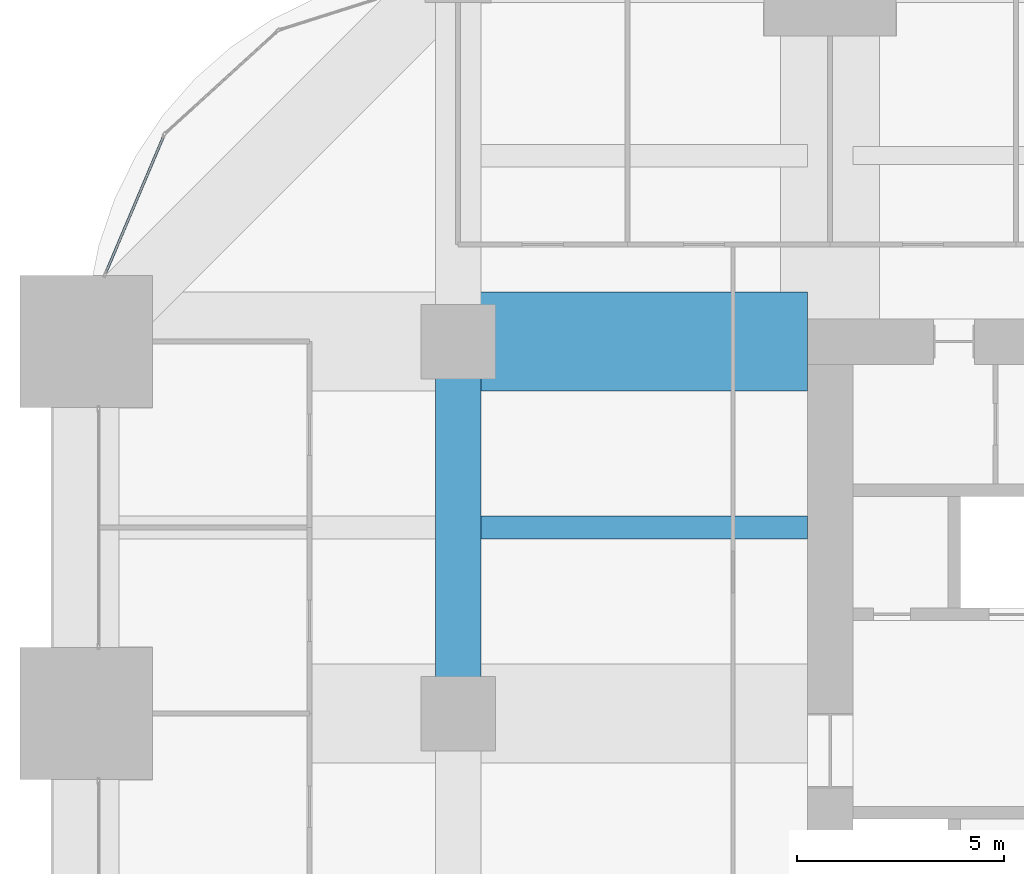
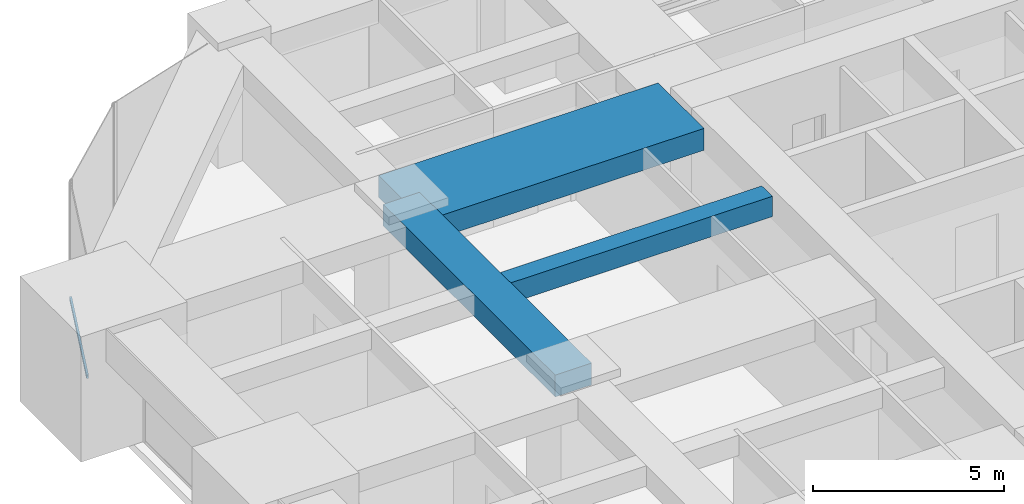
# One storey, part 21 of 36: 3 beams, 1 member, 1 element without a shape of its own.
"""IFC4 building model written with IfcOpenShell, lengths in metres."""

import ifcopenshell
import ifcopenshell.guid

model = None  # the IFC model being written
_history = None  # IfcOwnerHistory: only IFC2X3 demands one
_inside = {}  # id of a spatial element -> (the spatial element, [elements in it])
_under = {}  # id of a project, library or spatial element -> (it, [spatial elements below it])
_declared = {}  # id of a project -> (the project, [libraries it declares])
_typed = {}  # id of a type object -> (the type object, [elements of that type])
_made_of = {}  # id of a material, layer set ... -> (it, [elements and type objects made of it])


def new_model(schema):
    """Start an empty IFC model of exactly this schema.

    Asked for "IFC4X3", IfcOpenShell would pick the latest addendum, in which some entities
    have other attributes; the version numbers below select the first issue.
    IFC2X3 requires an IfcOwnerHistory on every rooted entity: one is made here for all.
    """
    global model, _history
    if schema == "IFC4X3":
        model = ifcopenshell.file(schema_version=(4, 3, 0, 0))
    else:
        model = ifcopenshell.file(schema=schema)
    _inside.clear()
    _under.clear()
    _declared.clear()
    _typed.clear()
    _made_of.clear()
    _history = None
    if model.schema == "IFC2X3":
        org = make("IfcOrganization", Name="unknown")
        user = make(
            "IfcPersonAndOrganization",
            ThePerson=make("IfcPerson", FamilyName="unknown"),
            TheOrganization=org,
        )
        app = make(
            "IfcApplication",
            ApplicationDeveloper=org,
            Version="unknown",
            ApplicationFullName="unknown",
            ApplicationIdentifier="unknown",
        )
        _history = make(
            "IfcOwnerHistory",
            OwningUser=user,
            OwningApplication=app,
            ChangeAction="ADDED",
            CreationDate=0,
        )
    return model


def make(cls, **values):
    """One entity of the class cls with the attributes given. An attribute that is None is left unset."""
    return model.create_entity(
        cls, **{name: value for name, value in values.items() if value is not None}
    )


def rooted(cls, **values):
    """An entity with a GlobalId (a new one), such as an element, a storey or a relation."""
    return make(cls, GlobalId=ifcopenshell.guid.new(), OwnerHistory=_history, **values)


def si_unit(unit_type, name, prefix=None):
    """IfcSIUnit, for example si_unit("LENGTHUNIT", "METRE", prefix="MILLI")."""
    return make("IfcSIUnit", UnitType=unit_type, Prefix=prefix, Name=name)


def assignment(units):
    """IfcUnitAssignment: the units of a project."""
    return None if units is None else make("IfcUnitAssignment", Units=units)


def point(xyz):
    """IfcCartesianPoint."""
    return None if xyz is None else make("IfcCartesianPoint", Coordinates=xyz)


def direction(xyz):
    """IfcDirection."""
    return None if xyz is None else make("IfcDirection", DirectionRatios=xyz)


def frame(location, z_axis=None, x_axis=None):
    """IfcAxis2Placement3D, a coordinate frame: its origin and axes. An axis left out is left unset."""
    return make(
        "IfcAxis2Placement3D",
        Location=point(location),
        Axis=direction(z_axis),
        RefDirection=direction(x_axis),
    )


def frame_2d(location, x_axis=None):
    """IfcAxis2Placement2D, a coordinate frame in the plane: its origin and x axis."""
    return make(
        "IfcAxis2Placement2D", Location=point(location), RefDirection=direction(x_axis)
    )


def origin():
    """The frame at (0, 0, 0) with its axes left unset."""
    return frame((0.0, 0.0, 0.0))


def origin_2d():
    """The frame at (0, 0) in the plane with its x axis left unset."""
    return frame_2d((0.0, 0.0))


def place(relative_to, where):
    """IfcLocalPlacement: puts the frame where relative to a parent placement (None: the world)."""
    return make(
        "IfcLocalPlacement", PlacementRelTo=relative_to, RelativePlacement=where
    )


def context(
    kind, dimensions, precision=None, world=None, true_north=None, identifier=None
):
    """IfcGeometricRepresentationContext, for example the 3D "Model" context."""
    return make(
        "IfcGeometricRepresentationContext",
        ContextIdentifier=identifier,
        ContextType=kind,
        CoordinateSpaceDimension=dimensions,
        Precision=precision,
        WorldCoordinateSystem=world,
        TrueNorth=true_north,
    )


def subcontext(parent, identifier, kind, view, scale=None):
    """IfcGeometricRepresentationSubContext, for example "Body" below "Model"."""
    return make(
        "IfcGeometricRepresentationSubContext",
        ContextIdentifier=identifier,
        ContextType=kind,
        ParentContext=parent,
        TargetScale=scale,
        TargetView=view,
    )


def project(units=None, contexts=None):
    """IfcProject with its units and contexts."""
    return rooted(
        "IfcProject",
        Name="project",
        RepresentationContexts=contexts,
        UnitsInContext=assignment(units),
    )


def spatial(cls, under=None, at=None, **own):
    """A site, building, storey or space (cls), placed at a placement, below another one or the project."""
    s = rooted(cls, ObjectPlacement=at, **own)
    if under is not None:
        _under.setdefault(under.id(), (under, []))[1].append(s)
    return s


def profile(cls, at=None, kind="AREA", **sizes):
    """A parametric profile (cls). Its sizes go by their IFC names, for example OverallWidth=200.0."""
    return make(cls, ProfileType=kind, Position=at, **sizes)


def rectangle(**sizes):
    """IfcRectangleProfileDef."""
    return profile("IfcRectangleProfileDef", **sizes)


def hollow_rectangle(**sizes):
    """IfcRectangleHollowProfileDef."""
    return profile("IfcRectangleHollowProfileDef", **sizes)


def extrude(swept, where, along, depth):
    """IfcExtrudedAreaSolid: the profile swept, set in the frame where, extruded along a direction by depth."""
    return make(
        "IfcExtrudedAreaSolid",
        SweptArea=swept,
        Position=where,
        ExtrudedDirection=direction(along),
        Depth=depth,
    )


def shape(context_of_items, identifier, shape_type, items):
    """IfcShapeRepresentation: the items that make up one representation, for example the "Body"."""
    return make(
        "IfcShapeRepresentation",
        ContextOfItems=context_of_items,
        RepresentationIdentifier=identifier,
        RepresentationType=shape_type,
        Items=items,
    )


def material(Name=None, Category=None):
    """IfcMaterial."""
    return make("IfcMaterial", Name=Name, Category=Category)


def material_profile(
    of_material, cross_section, Name=None, Category=None, Priority=None
):
    """IfcMaterialProfile: a cross section and its material."""
    return make(
        "IfcMaterialProfile",
        Name=Name,
        Material=of_material,
        Profile=cross_section,
        Priority=Priority,
        Category=Category,
    )


def profile_set(profiles, Name=None, composite=None):
    """IfcMaterialProfileSet."""
    return make(
        "IfcMaterialProfileSet",
        Name=Name,
        MaterialProfiles=profiles,
        CompositeProfile=composite,
    )


def made_of(thing, what):
    """Note that an element or type object is made of a material, layer set ...; save() writes the relation."""
    if what is not None:
        _made_of.setdefault(what.id(), (what, []))[1].append(thing)
    return thing


def type_object(cls, material=None, **own):
    """A type object (cls), such as IfcWallType, which elements share."""
    return made_of(rooted(cls, **own), material)


def element(
    cls,
    number,
    at=None,
    inside=None,
    cuts=None,
    type_object=None,
    material=None,
    context=None,
    identifier="Body",
    shape_type=None,
    held_by="IfcProductDefinitionShape",
    body=None,
    shapes=None,
    **own,
):
    """One element of the class cls, such as IfcWall. Its Tag is "e" and its number.

    at: its placement. inside: the storey or other place that contains it. cuts: it is an
    opening in that element (IfcRelVoidsElement). A single representation is given by context,
    identifier, shape_type and body (its items); several are given by shapes. held_by: the class
    of the entity that holds the representations. save() writes the other relations.
    """
    e = rooted(cls, Tag="e%d" % number, ObjectPlacement=at, **own)
    if body is not None:
        shapes = [shape(context, identifier, shape_type, body)]
    if shapes is not None:
        e.Representation = make(held_by, Representations=shapes)
    if inside is not None:
        _inside.setdefault(inside.id(), (inside, []))[1].append(e)
    if cuts is not None:
        rooted(
            "IfcRelVoidsElement", RelatingBuildingElement=cuts, RelatedOpeningElement=e
        )
    if type_object is not None:
        _typed.setdefault(type_object.id(), (type_object, []))[1].append(e)
    return made_of(e, material)


def aggregate(whole, parts):
    """IfcRelAggregates: a whole, such as a stair, and the parts it consists of."""
    return rooted("IfcRelAggregates", RelatingObject=whole, RelatedObjects=parts)


def save(model, path):
    """Write the relations noted so far, then the file.

    IfcRelAggregates (storeys below a building ...), IfcRelContainedInSpatialStructure (elements
    in a storey), IfcRelDefinesByType, IfcRelAssociatesMaterial and IfcRelDeclares: one each for
    every whole, place, type object, material and project.
    """
    for whole, parts in _under.values():
        aggregate(whole, parts)
    for where, things in _inside.values():
        rooted(
            "IfcRelContainedInSpatialStructure",
            RelatedElements=things,
            RelatingStructure=where,
        )
    for kind, things in _typed.values():
        rooted("IfcRelDefinesByType", RelatedObjects=things, RelatingType=kind)
    for what, things in _made_of.values():
        rooted("IfcRelAssociatesMaterial", RelatedObjects=things, RelatingMaterial=what)
    for by, libraries in _declared.values():
        rooted("IfcRelDeclares", RelatingContext=by, RelatedDefinitions=libraries)
    model.write(path)


model = new_model("IFC4")

# Units and contexts
model_context = context("Model", 3, precision=1e-05, world=origin(), true_north=direction((0.0, 1.0)))
body_context = subcontext(model_context, "Body", "Model", "MODEL_VIEW")
ifc_project = project(units=[si_unit("LENGTHUNIT", "METRE"), si_unit("AREAUNIT", "SQUARE_METRE"), si_unit("VOLUMEUNIT", "CUBIC_METRE"), si_unit("PLANEANGLEUNIT", "RADIAN"), si_unit("MASSUNIT", "GRAM", prefix="KILO")], contexts=[model_context])

# Site, building, storey
site_placement = place(None, origin())
site = spatial("IfcSite", under=ifc_project, at=site_placement, CompositionType="ELEMENT")
building_placement = place(site_placement, origin())
building = spatial("IfcBuilding", under=site, at=building_placement, Name="Zorevar Civic Tower", CompositionType="ELEMENT")
storey_placement = place(building_placement, frame((0.0, 0.0, 166.199951171875)))
storey = spatial("IfcBuildingStorey", under=building, at=storey_placement, Name="L40", CompositionType="ELEMENT", Elevation=166.199951171875)

# Beams
ifc_material_1 = material(Name="Concrete C50/60", Category="concrete")
ifc_material_profile_1 = material_profile(ifc_material_1, rectangle(XDim=1.10009765625, YDim=0.699951171875, at=origin_2d()), Name="RC 1100x700")
ifc_profile_set_1 = profile_set([ifc_material_profile_1], Name="Concrete C50/60")
beam_type_1 = type_object("IfcBeamType", Name="Beam RC 1100x700", PredefinedType="BEAM", material=ifc_profile_set_1)
beam_1_placement = place(storey_placement, frame((9.0, 27.0, 3.400146484375), z_axis=(0.0, 1.0, 0.0), x_axis=(-1.0, 0.0, 0.0)))
element("IfcBeam", 1, at=beam_1_placement, inside=storey, type_object=beam_type_1, Name="Girder L41", PredefinedType="BEAM", context=body_context, shape_type="SweptSolid", body=[
    extrude(rectangle(XDim=1.10009765625, YDim=0.699951171875, at=origin_2d()), origin(), (0.0, 0.0, 1.0), 9.0),
])
ifc_material_2 = material(Name="Concrete C50/60", Category="concrete")
ifc_material_profile_2 = material_profile(ifc_material_2, rectangle(XDim=2.39990234375, YDim=0.699951171875, at=origin_2d()), Name="RC 2400x700")
ifc_profile_set_2 = profile_set([ifc_material_profile_2], Name="Concrete C50/60")
beam_type_2 = type_object("IfcBeamType", Name="Beam RC 2400x700", PredefinedType="BEAM", material=ifc_profile_set_2)
beam_2_placement = place(storey_placement, frame((9.0, 36.0, 3.400146484375), z_axis=(1.0, 0.0, 0.0), x_axis=(0.0, 1.0, 0.0)))
element("IfcBeam", 2, at=beam_2_placement, inside=storey, type_object=beam_type_2, Name="Girder L41", PredefinedType="BEAM", context=body_context, shape_type="SweptSolid", body=[
    extrude(rectangle(XDim=2.39990234375, YDim=0.699951171875, at=origin_2d()), origin(), (0.0, 0.0, 1.0), 8.449951171875),
])
ifc_material_3 = material(Name="Concrete C50/60", Category="concrete")
ifc_material_profile_3 = material_profile(ifc_material_3, rectangle(XDim=0.550048828125, YDim=0.64990234375, at=origin_2d()), Name="RC 550x650")
ifc_profile_set_3 = profile_set([ifc_material_profile_3], Name="Concrete C50/60")
beam_type_3 = type_object("IfcBeamType", Name="Beam RC 550x650", PredefinedType="BEAM", material=ifc_profile_set_3)
beam_3_placement = place(storey_placement, frame((9.550048828125, 31.5, 3.425048828125), z_axis=(1.0, 0.0, 0.0), x_axis=(0.0, 1.0, 0.0)))
element("IfcBeam", 3, at=beam_3_placement, inside=storey, type_object=beam_type_3, Name="Secondary beam L41", PredefinedType="BEAM", context=body_context, shape_type="SweptSolid", body=[
    extrude(rectangle(XDim=0.550048828125, YDim=0.64990234375, at=origin_2d()), origin(), (0.0, 0.0, 1.0), 7.89990234375),
])

# Curtain wall, member
ifc_material_4 = material(Name="Dark grey solar-control glass in black aluminium frame", Category="aluminium")
curtain_wall_type = type_object("IfcCurtainWallType", Name="Curtain wall CW4 high zone", PredefinedType="NOTDEFINED", material=ifc_material_4)
curtain_wall_placement = place(storey_placement, origin())
curtain_wall = element("IfcCurtainWall", 4, at=curtain_wall_placement, inside=storey, type_object=curtain_wall_type, Name="CW4 L40", PredefinedType="NOTDEFINED")
ifc_material_5 = material(Name="Aluminium, black anodised", Category="aluminium")
ifc_material_profile_4 = material_profile(ifc_material_5, hollow_rectangle(XDim=0.06005859375, YDim=0.1201171875, WallThickness=0.0029296875, at=origin_2d()), Name="AL 120x60x3")
ifc_profile_set_4 = profile_set([ifc_material_profile_4], Name="Aluminium, black anodised")
member_type = type_object("IfcMemberType", Name="CW4 transom AL 120x60x3", PredefinedType="USERDEFINED", material=ifc_profile_set_4)
member_placement = place(storey_placement, frame((1.876708984375, 40.972900390625, 0.030029296875), z_axis=(-0.389916302368, -0.920850301161, 0.0), x_axis=(0.920850301161, -0.389916302368, 0.0)))
member = element("IfcMember", 5, at=member_placement, type_object=member_type, Name="CW4 sill transom", ObjectType="TRANSOM", PredefinedType="USERDEFINED", context=body_context, shape_type="SweptSolid", body=[
    extrude(hollow_rectangle(XDim=0.06005859375, YDim=0.1201171875, WallThickness=0.0029296875, at=origin_2d()), origin(), (0.0, 0.0, 1.0), 3.602783203125),
])
aggregate(curtain_wall, [member])

save(model, "model.ifc")
